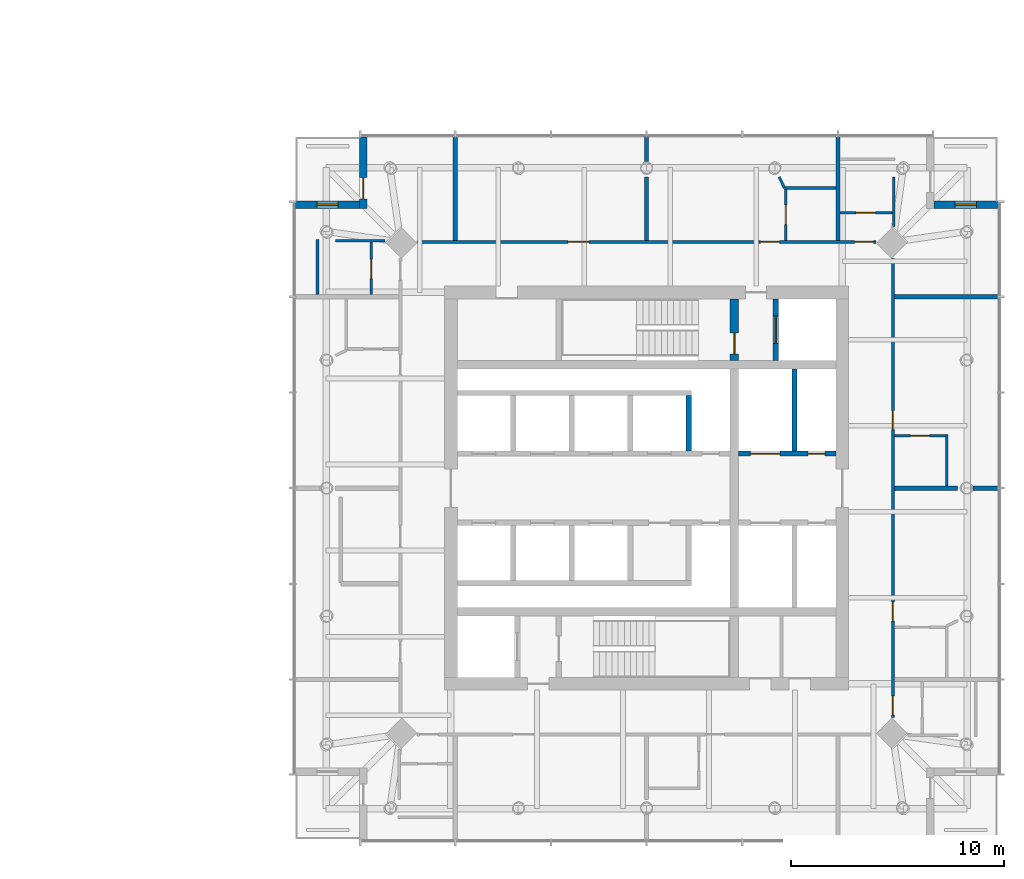
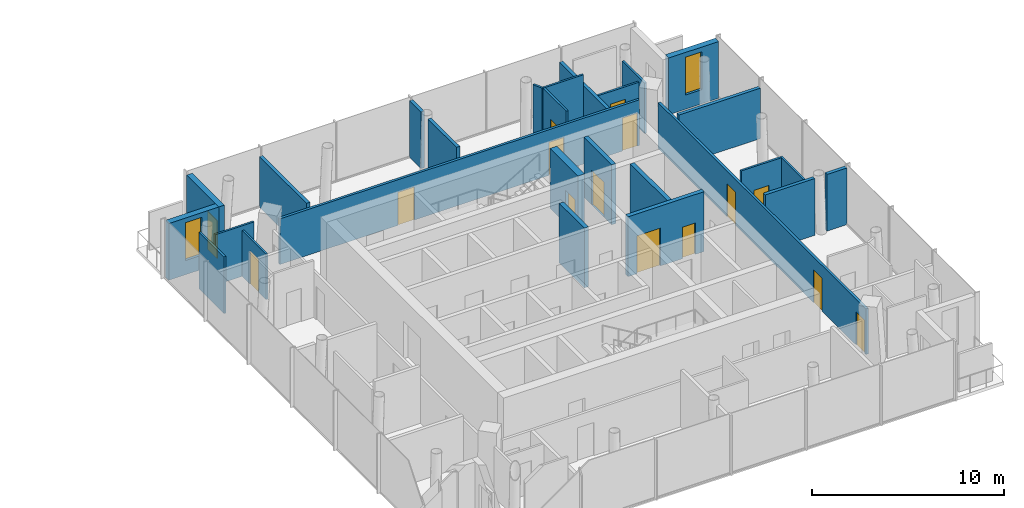
# One storey, part 15 of 27: 27 walls, 15 doors, 2 windows, 17 openings.
"""IFC4 building model written with IfcOpenShell, lengths in metres."""

from ifc_helpers import new_model, si_unit, direction, frame, frame_2d, origin, place, context, subcontext, project, spatial, rectangle, extrude, material, layer, layer_set, type_object, element, fill, save


model = new_model("IFC4")

# Units and contexts
model_context = context("Model", 3, precision=1e-05, world=origin(), true_north=direction((0.0, 1.0)))
body_context = subcontext(model_context, "Body", "Model", "MODEL_VIEW")
ifc_project = project(units=[si_unit("LENGTHUNIT", "METRE"), si_unit("AREAUNIT", "SQUARE_METRE"), si_unit("VOLUMEUNIT", "CUBIC_METRE"), si_unit("PLANEANGLEUNIT", "RADIAN"), si_unit("MASSUNIT", "GRAM", prefix="KILO")], contexts=[model_context])

# Site, building, storey
site_placement = place(None, origin())
site = spatial("IfcSite", under=ifc_project, at=site_placement, CompositionType="ELEMENT")
building_placement = place(site_placement, origin())
building = spatial("IfcBuilding", under=site, at=building_placement, Name="Ostroluk Exchange", CompositionType="ELEMENT")
storey_placement = place(building_placement, frame((0.0, 0.0, 112.199951171875)))
storey = spatial("IfcBuildingStorey", under=building, at=storey_placement, Name="L28", CompositionType="ELEMENT", Elevation=112.199951171875)

# Wall, opening, door
ifc_material_1 = material(Name="Concrete C50/60", Category="concrete")
ifc_layer_1 = layer(ifc_material_1, 0.39990234375)
ifc_layer_set_1 = layer_set([ifc_layer_1], Name="Core cross wall 400 C50/60")
wall_type_1 = type_object("IfcWallType", Name="Core cross wall 400 C50/60", PredefinedType="SHEAR", material=ifc_layer_set_1)
wall_1_placement = place(storey_placement, frame((121.1298828125, 52.0, 0.0), z_axis=(0.0, 0.0, 1.0), x_axis=(0.0, 1.0, 0.0)))
wall_1 = element("IfcWall", 1, at=wall_1_placement, inside=storey, type_object=wall_type_1, Name="T2 core wall YE3", PredefinedType="SHEAR", context=body_context, shape_type="SweptSolid", body=[
    extrude(rectangle(XDim=2.89990234375, YDim=0.39990234375, at=frame_2d((1.449951171875, 0.0))), origin(), (0.0, 0.0, 1.0), 3.800048828125),
])
opening_1_placement = place(wall_1_placement, frame((0.300048828125, 0.0, 0.0)))
opening_1 = element("IfcOpeningElement", 2, at=opening_1_placement, cuts=wall_1, Name="Opening FD60", PredefinedType="OPENING", context=body_context, shape_type="SweptSolid", body=[
    extrude(rectangle(XDim=1.0, YDim=2.10009765625, at=frame_2d((0.5, 1.050048828125))), frame((0.0, 0.2099609375, 0.0), z_axis=(0.0, -1.0, 0.0), x_axis=(1.0, 0.0, 0.0)), (0.0, 0.0, 1.0), 0.419921875),
])
ifc_material_2 = material(Name="Steel", Category="steel")
door_type_1 = type_object("IfcDoorType", Name="Fire door EI 60 1000 x 2100", OperationType="SINGLE_SWING_LEFT", PredefinedType="DOOR", material=ifc_material_2)
door_1_placement = place(opening_1_placement, origin())
door_1 = element("IfcDoor", 3, at=door_1_placement, inside=storey, type_object=door_type_1, Name="Stair T2-S2 door", OperationType="SINGLE_SWING_LEFT", OverallHeight=2.10009765625, OverallWidth=1.0, PredefinedType="DOOR", context=body_context, shape_type="SweptSolid", body=[
    extrude(rectangle(XDim=1.0, YDim=2.10009765625, at=frame_2d((0.5, 1.050048828125))), frame((0.0, 0.02490234375, 0.0), z_axis=(0.0, -1.0, 0.0), x_axis=(1.0, 0.0, 0.0)), (0.0, 0.0, 1.0), 0.050048828125),
])
fill(opening_1, door_1)

ifc_material_3 = material(Name="Concrete C40/50", Category="concrete")
ifc_layer_2 = layer(ifc_material_3, 0.25)
ifc_layer_set_2 = layer_set([ifc_layer_2], Name="Core shaft wall 250")
wall_type_2 = type_object("IfcWallType", Name="Core shaft wall 250", PredefinedType="SHEAR", material=ifc_layer_set_2)
wall_2_placement = place(storey_placement, frame((123.074951171875, 52.0, 0.0), z_axis=(0.0, 0.0, 1.0), x_axis=(0.0, 1.0, 0.0)))
wall_2 = element("IfcWall", 4, at=wall_2_placement, inside=storey, type_object=wall_type_2, Name="Firefighting lift shaft wall", PredefinedType="SHEAR", context=body_context, shape_type="SweptSolid", body=[
    extrude(rectangle(XDim=2.89990234375, YDim=0.25, at=frame_2d((1.449951171875, 0.0))), origin(), (0.0, 0.0, 1.0), 3.800048828125),
])
opening_2_placement = place(wall_2_placement, frame((0.800048828125, 0.0, 0.0)))
opening_2 = element("IfcOpeningElement", 5, at=opening_2_placement, cuts=wall_2, Name="Opening LD2", PredefinedType="OPENING", context=body_context, shape_type="SweptSolid", body=[
    extrude(rectangle(XDim=1.300048828125, YDim=2.199951171875, at=frame_2d((0.64990234375, 1.10009765625))), frame((0.0, 0.135009765625, 0.0), z_axis=(0.0, -1.0, 0.0), x_axis=(1.0, 0.0, 0.0)), (0.0, 0.0, 1.0), 0.27001953125),
])
ifc_material_4 = material(Name="Stainless steel", Category="steel")
door_type_2 = type_object("IfcDoorType", Name="Lift landing door E 60 1300 x 2200", OperationType="DOUBLE_DOOR_SLIDING", PredefinedType="DOOR", material=ifc_material_4)
door_2_placement = place(opening_2_placement, origin())
door_2 = element("IfcDoor", 6, at=door_2_placement, inside=storey, type_object=door_type_2, Name="Lift HF2 landing door", OperationType="DOUBLE_DOOR_SLIDING", OverallHeight=2.199951171875, OverallWidth=1.300048828125, PredefinedType="DOOR", context=body_context, shape_type="SweptSolid", body=[
    extrude(rectangle(XDim=1.300048828125, YDim=2.199951171875, at=frame_2d((0.64990234375, 1.10009765625))), frame((0.0, 0.02490234375, 0.0), z_axis=(0.0, -1.0, 0.0), x_axis=(1.0, 0.0, 0.0)), (0.0, 0.0, 1.0), 0.050048828125),
])
fill(opening_2, door_2)

# Walls
wall_3_placement = place(storey_placement, frame((118.97509765625, 47.75, 0.0), z_axis=(0.0, 0.0, 1.0), x_axis=(0.0, 1.0, 0.0)))
element("IfcWall", 7, at=wall_3_placement, inside=storey, type_object=wall_type_2, Name="Lift shaft wall", PredefinedType="SHEAR", context=body_context, shape_type="SweptSolid", body=[
    extrude(rectangle(XDim=2.60009765625, YDim=0.25, at=frame_2d((1.300048828125, 0.0))), origin(), (0.0, 0.0, 1.0), 3.800048828125),
])
wall_4_placement = place(storey_placement, frame((123.955078125, 47.75, 0.0), z_axis=(0.0, 0.0, 1.0), x_axis=(0.0, 1.0, 0.0)))
element("IfcWall", 8, at=wall_4_placement, inside=storey, type_object=wall_type_2, Name="Lift shaft wall", PredefinedType="SHEAR", context=body_context, shape_type="SweptSolid", body=[
    extrude(rectangle(XDim=3.85009765625, YDim=0.25, at=frame_2d((1.925048828125, 0.0))), origin(), (0.0, 0.0, 1.0), 3.800048828125),
])

# Wall, openings, doors
wall_5_placement = place(storey_placement, frame((121.330078125, 47.625, 0.0), z_axis=(0.0, 0.0, 1.0), x_axis=(1.0, 0.0, 0.0)))
wall_5 = element("IfcWall", 9, at=wall_5_placement, inside=storey, type_object=wall_type_2, Name="Lift shaft front wall", PredefinedType="SHEAR", context=body_context, shape_type="SweptSolid", body=[
    extrude(rectangle(XDim=4.56982421875, YDim=0.25, at=frame_2d((2.284912109375, 0.0))), origin(), (0.0, 0.0, 1.0), 3.800048828125),
])
opening_3_placement = place(wall_5_placement, frame((0.550048828125, 0.0, 0.0)))
opening_3 = element("IfcOpeningElement", 10, at=opening_3_placement, cuts=wall_5, Name="Opening LD3", PredefinedType="OPENING", context=body_context, shape_type="SweptSolid", body=[
    extrude(rectangle(XDim=1.39990234375, YDim=2.39990234375, at=frame_2d((0.699951171875, 1.199951171875))), frame((0.0, 0.135009765625, 0.0), z_axis=(0.0, -1.0, 0.0), x_axis=(1.0, 0.0, 0.0)), (0.0, 0.0, 1.0), 0.27001953125),
])
opening_4_placement = place(wall_5_placement, frame((3.260009765625, 0.0, 0.0)))
opening_4 = element("IfcOpeningElement", 11, at=opening_4_placement, cuts=wall_5, Name="Opening RD60", PredefinedType="OPENING", context=body_context, shape_type="SweptSolid", body=[
    extrude(rectangle(XDim=0.800048828125, YDim=2.0, at=frame_2d((0.39990234375, 1.0))), frame((0.0, 0.135009765625, 0.0), z_axis=(0.0, -1.0, 0.0), x_axis=(1.0, 0.0, 0.0)), (0.0, 0.0, 1.0), 0.27001953125),
])
ifc_material_5 = material(Name="Stainless steel", Category="steel")
door_type_3 = type_object("IfcDoorType", Name="Goods lift landing door E 60 1400 x 2400", OperationType="DOUBLE_DOOR_SLIDING", PredefinedType="DOOR", material=ifc_material_5)
door_3_placement = place(opening_3_placement, origin())
door_3 = element("IfcDoor", 12, at=door_3_placement, inside=storey, type_object=door_type_3, Name="Lift HS1 landing door", OperationType="DOUBLE_DOOR_SLIDING", OverallHeight=2.39990234375, OverallWidth=1.39990234375, PredefinedType="DOOR", context=body_context, shape_type="SweptSolid", body=[
    extrude(rectangle(XDim=1.39990234375, YDim=2.39990234375, at=frame_2d((0.699951171875, 1.199951171875))), frame((0.0, 0.02490234375, 0.0), z_axis=(0.0, -1.0, 0.0), x_axis=(1.0, 0.0, 0.0)), (0.0, 0.0, 1.0), 0.050048828125),
])
fill(opening_3, door_3)
ifc_material_6 = material(Name="Steel", Category="steel")
door_type_4 = type_object("IfcDoorType", Name="Riser access door EI 60 800 x 2000", OperationType="SINGLE_SWING_LEFT", PredefinedType="DOOR", material=ifc_material_6)
door_4_placement = place(opening_4_placement, origin())
door_4 = element("IfcDoor", 13, at=door_4_placement, inside=storey, type_object=door_type_4, Name="Riser access door", OperationType="SINGLE_SWING_RIGHT", OverallHeight=2.0, OverallWidth=0.800048828125, PredefinedType="DOOR", context=body_context, shape_type="SweptSolid", body=[
    extrude(rectangle(XDim=0.800048828125, YDim=2.0, at=frame_2d((0.39990234375, 1.0))), frame((0.0, 0.02490234375, 0.0), z_axis=(0.0, -1.0, 0.0), x_axis=(1.0, 0.0, 0.0)), (0.0, 0.0, 1.0), 0.050048828125),
])
fill(opening_4, door_4)

# Wall, opening, window
ifc_material_7 = material(Name="Limestone", Category="masonry")
ifc_layer_3 = layer(ifc_material_7, 0.35009765625)
ifc_layer_set_3 = layer_set([ifc_layer_3], Name="Limestone facade wall 350")
wall_type_3 = type_object("IfcWallType", Name="Limestone facade wall 350", PredefinedType="SOLIDWALL", material=ifc_layer_set_3)
wall_6_placement = place(storey_placement, frame((130.5, 59.324951171875, 0.0), z_axis=(0.0, 0.0, 1.0), x_axis=(1.0, 0.0, 0.0)))
wall_6 = element("IfcWall", 14, at=wall_6_placement, inside=storey, type_object=wall_type_3, Name="Hotel tower NE corner wall L28 b", PredefinedType="SOLIDWALL", context=body_context, shape_type="SweptSolid", body=[
    extrude(rectangle(XDim=3.0, YDim=0.35009765625, at=frame_2d((1.5, 0.0))), origin(), (0.0, 0.0, 1.0), 3.60009765625),
])
opening_5_placement = place(wall_6_placement, frame((1.0, 0.0, 0.89990234375)))
opening_5 = element("IfcOpeningElement", 15, at=opening_5_placement, cuts=wall_6, Name="Opening WN-L3", PredefinedType="OPENING", context=body_context, shape_type="SweptSolid", body=[
    extrude(rectangle(XDim=1.0, YDim=2.39990234375, at=frame_2d((0.5, 1.199951171875))), frame((0.0, 0.18505859375, 0.0), z_axis=(0.0, -1.0, 0.0), x_axis=(1.0, 0.0, 0.0)), (0.0, 0.0, 1.0), 0.3701171875),
])
ifc_material_8 = material(Name="Laminated clear glass", Category="glass")
window_type = type_object("IfcWindowType", Name="Hotel lancet window 1000 x 2400", PartitioningType="SINGLE_PANEL", PredefinedType="WINDOW", material=ifc_material_8)
window_1_placement = place(opening_5_placement, origin())
window_1 = element("IfcWindow", 16, at=window_1_placement, inside=storey, type_object=window_type, Name="Hotel tower NE lancet window L28", OverallHeight=2.39990234375, OverallWidth=1.0, PartitioningType="SINGLE_PANEL", PredefinedType="WINDOW", context=body_context, shape_type="SweptSolid", body=[
    extrude(rectangle(XDim=1.0, YDim=2.39990234375, at=frame_2d((0.5, 1.199951171875))), frame((0.0, 0.030029296875, 0.0), z_axis=(0.0, -1.0, 0.0), x_axis=(1.0, 0.0, 0.0)), (0.0, 0.0, 1.0), 0.06005859375),
])
fill(opening_5, window_1)

# Wall, opening, door
wall_7_placement = place(storey_placement, frame((103.675048828125, 62.5, 0.0), z_axis=(0.0, 0.0, 1.0), x_axis=(0.0, -1.0, 0.0)))
wall_7 = element("IfcWall", 17, at=wall_7_placement, inside=storey, type_object=wall_type_3, Name="Hotel tower NW corner wall L28 a", PredefinedType="SOLIDWALL", context=body_context, shape_type="SweptSolid", body=[
    extrude(rectangle(XDim=3.35009765625, YDim=0.35009765625, at=frame_2d((1.675048828125, 0.0))), origin(), (0.0, 0.0, 1.0), 3.60009765625),
])
opening_6_placement = place(wall_7_placement, frame((1.89990234375, 0.0, 0.0)))
opening_6 = element("IfcOpeningElement", 18, at=opening_6_placement, cuts=wall_7, Name="Opening D-B1", PredefinedType="OPENING", context=body_context, shape_type="SweptSolid", body=[
    extrude(rectangle(XDim=1.0, YDim=2.39990234375, at=frame_2d((0.5, 1.199951171875))), frame((0.0, 0.18505859375, 0.0), z_axis=(0.0, -1.0, 0.0), x_axis=(1.0, 0.0, 0.0)), (0.0, 0.0, 1.0), 0.3701171875),
])
ifc_material_9 = material(Name="Bronze framed glazed door", Category="aluminium")
door_type_5 = type_object("IfcDoorType", Name="Balcony door 1000 x 2400", OperationType="SINGLE_SWING_LEFT", PredefinedType="DOOR", material=ifc_material_9)
door_5_placement = place(opening_6_placement, origin())
door_5 = element("IfcDoor", 19, at=door_5_placement, inside=storey, type_object=door_type_5, Name="Hotel tower NW balcony door L28", OperationType="SINGLE_SWING_RIGHT", OverallHeight=2.39990234375, OverallWidth=1.0, PredefinedType="DOOR", context=body_context, shape_type="SweptSolid", body=[
    extrude(rectangle(XDim=1.0, YDim=2.39990234375, at=frame_2d((0.5, 1.199951171875))), frame((0.0, 0.02490234375, 0.0), z_axis=(0.0, -1.0, 0.0), x_axis=(1.0, 0.0, 0.0)), (0.0, 0.0, 1.0), 0.050048828125),
])
fill(opening_6, door_5)

# Wall, opening, window
wall_8_placement = place(storey_placement, frame((103.5, 59.324951171875, 0.0), z_axis=(0.0, 0.0, 1.0), x_axis=(-1.0, 0.0, 0.0)))
wall_8 = element("IfcWall", 20, at=wall_8_placement, inside=storey, type_object=wall_type_3, Name="Hotel tower NW corner wall L28 b", PredefinedType="SOLIDWALL", context=body_context, shape_type="SweptSolid", body=[
    extrude(rectangle(XDim=3.0, YDim=0.35009765625, at=frame_2d((1.5, 0.0))), origin(), (0.0, 0.0, 1.0), 3.60009765625),
])
opening_7_placement = place(wall_8_placement, frame((1.0, 0.0, 0.89990234375)))
opening_7 = element("IfcOpeningElement", 21, at=opening_7_placement, cuts=wall_8, Name="Opening WN-L3", PredefinedType="OPENING", context=body_context, shape_type="SweptSolid", body=[
    extrude(rectangle(XDim=1.0, YDim=2.39990234375, at=frame_2d((0.5, 1.199951171875))), frame((0.0, 0.18505859375, 0.0), z_axis=(0.0, -1.0, 0.0), x_axis=(1.0, 0.0, 0.0)), (0.0, 0.0, 1.0), 0.3701171875),
])
window_2_placement = place(opening_7_placement, origin())
window_2 = element("IfcWindow", 22, at=window_2_placement, inside=storey, type_object=window_type, Name="Hotel tower NW lancet window L28", OverallHeight=2.39990234375, OverallWidth=1.0, PartitioningType="SINGLE_PANEL", PredefinedType="WINDOW", context=body_context, shape_type="SweptSolid", body=[
    extrude(rectangle(XDim=1.0, YDim=2.39990234375, at=frame_2d((0.5, 1.199951171875))), frame((0.0, 0.030029296875, 0.0), z_axis=(0.0, -1.0, 0.0), x_axis=(1.0, 0.0, 0.0)), (0.0, 0.0, 1.0), 0.06005859375),
])
fill(opening_7, window_2)

# Wall
ifc_material_10 = material(Name="Gypsum plasterboard partition, moisture resistant", Category="gypsum")
ifc_layer_4 = layer(ifc_material_10, 0.1201171875)
ifc_layer_set_4 = layer_set([ifc_layer_4], Name="Plasterboard en-suite wall 120")
wall_type_4 = type_object("IfcWallType", Name="Plasterboard en-suite wall 120", PredefinedType="PARTITIONING", material=ifc_layer_set_4)
wall_9_placement = place(storey_placement, frame((131.110107421875, 46.10009765625, 0.0), z_axis=(0.0, 0.0, 1.0), x_axis=(0.0, 1.0, 0.0)))
element("IfcWall", 23, at=wall_9_placement, inside=storey, type_object=wall_type_4, Name="En-suite wall", PredefinedType="PARTITIONING", context=body_context, shape_type="SweptSolid", body=[
    extrude(rectangle(XDim=2.419921875, YDim=0.1201171875, at=frame_2d((1.2099609375, 0.0))), origin(), (0.0, 0.0, 1.0), 3.60009765625),
])

# Wall, opening, door
wall_10_placement = place(storey_placement, frame((128.64990234375, 48.4599609375, 0.0), z_axis=(0.0, 0.0, 1.0), x_axis=(1.0, 0.0, 0.0)))
wall_10 = element("IfcWall", 24, at=wall_10_placement, inside=storey, type_object=wall_type_4, Name="En-suite wall", PredefinedType="PARTITIONING", context=body_context, shape_type="SweptSolid", body=[
    extrude(rectangle(XDim=2.400146484375, YDim=0.1201171875, at=frame_2d((1.2001953125, 0.0))), origin(), (0.0, 0.0, 1.0), 3.60009765625),
])
opening_8_placement = place(wall_10_placement, frame((0.75, 0.0, 0.0)))
opening_8 = element("IfcOpeningElement", 25, at=opening_8_placement, cuts=wall_10, Name="Opening D-02", PredefinedType="OPENING", context=body_context, shape_type="SweptSolid", body=[
    extrude(rectangle(XDim=0.89990234375, YDim=2.10009765625, at=frame_2d((0.449951171875, 1.050048828125))), frame((0.0, 0.070068359375, 0.0), z_axis=(0.0, -1.0, 0.0), x_axis=(1.0, 0.0, 0.0)), (0.0, 0.0, 1.0), 0.14013671875),
])
ifc_material_11 = material(Name="Timber", Category="wood")
door_type_6 = type_object("IfcDoorType", Name="En-suite door 900 x 2100", OperationType="SINGLE_SWING_LEFT", PredefinedType="DOOR", material=ifc_material_11)
door_6_placement = place(opening_8_placement, origin())
door_6 = element("IfcDoor", 26, at=door_6_placement, inside=storey, type_object=door_type_6, Name="En-suite door 2803", OperationType="SINGLE_SWING_LEFT", OverallHeight=2.10009765625, OverallWidth=0.89990234375, PredefinedType="DOOR", context=body_context, shape_type="SweptSolid", body=[
    extrude(rectangle(XDim=0.89990234375, YDim=2.10009765625, at=frame_2d((0.449951171875, 1.050048828125))), frame((0.0, 0.02490234375, 0.0), z_axis=(0.0, -1.0, 0.0), x_axis=(1.0, 0.0, 0.0)), (0.0, 0.0, 1.0), 0.050048828125),
])
fill(opening_8, door_6)

wall_11_placement = place(storey_placement, frame((126.10009765625, 58.949951171875, 0.0), z_axis=(0.0, 0.0, 1.0), x_axis=(1.0, 0.0, 0.0)))
wall_11 = element("IfcWall", 27, at=wall_11_placement, inside=storey, type_object=wall_type_4, Name="En-suite wall", PredefinedType="PARTITIONING", context=body_context, shape_type="SweptSolid", body=[
    extrude(rectangle(XDim=2.579833984375, YDim=0.1201171875, at=frame_2d((1.2900390625, 0.0))), origin(), (0.0, 0.0, 1.0), 2.900146484375),
])
opening_9_placement = place(wall_11_placement, frame((0.75, 0.0, 0.0)))
opening_9 = element("IfcOpeningElement", 28, at=opening_9_placement, cuts=wall_11, Name="Opening D-02", PredefinedType="OPENING", context=body_context, shape_type="SweptSolid", body=[
    extrude(rectangle(XDim=0.89990234375, YDim=2.10009765625, at=frame_2d((0.449951171875, 1.050048828125))), frame((0.0, 0.070068359375, 0.0), z_axis=(0.0, -1.0, 0.0), x_axis=(1.0, 0.0, 0.0)), (0.0, 0.0, 1.0), 0.14013671875),
])
door_7_placement = place(opening_9_placement, origin())
door_7 = element("IfcDoor", 29, at=door_7_placement, inside=storey, type_object=door_type_6, Name="En-suite door 2804", OperationType="SINGLE_SWING_LEFT", OverallHeight=2.10009765625, OverallWidth=0.89990234375, PredefinedType="DOOR", context=body_context, shape_type="SweptSolid", body=[
    extrude(rectangle(XDim=0.89990234375, YDim=2.10009765625, at=frame_2d((0.449951171875, 1.050048828125))), frame((0.0, 0.02490234375, 0.0), z_axis=(0.0, -1.0, 0.0), x_axis=(1.0, 0.0, 0.0)), (0.0, 0.0, 1.0), 0.050048828125),
])
fill(opening_9, door_7)

# Walls
wall_12_placement = place(storey_placement, frame((128.6201171875, 58.2900390625, 0.0), z_axis=(0.0, 0.0, 1.0), x_axis=(0.0, 1.0, 0.0)))
element("IfcWall", 30, at=wall_12_placement, inside=storey, type_object=wall_type_4, Name="En-suite wall", PredefinedType="PARTITIONING", context=body_context, shape_type="SweptSolid", body=[
    extrude(rectangle(XDim=2.335693359375, YDim=0.1201171875, at=frame_2d((1.16796875, 0.0))), origin(), (0.0, 0.0, 1.0), 3.199951171875),
])
wall_13_placement = place(storey_placement, frame((125.89990234375, 60.110107421875, 0.0), z_axis=(0.0, 0.0, 1.0), x_axis=(-1.0, 0.0, 0.0)))
element("IfcWall", 31, at=wall_13_placement, inside=storey, type_object=wall_type_4, Name="En-suite wall", PredefinedType="PARTITIONING", context=body_context, shape_type="SweptSolid", body=[
    extrude(rectangle(XDim=2.419921875, YDim=0.1201171875, at=frame_2d((1.2099609375, 0.0))), origin(), (0.0, 0.0, 1.0), 3.60009765625),
])

# Wall, opening, door
wall_14_placement = place(storey_placement, frame((123.5400390625, 57.64990234375, 0.0), z_axis=(0.0, 0.0, 1.0), x_axis=(0.0, 1.0, 0.0)))
wall_14 = element("IfcWall", 32, at=wall_14_placement, inside=storey, type_object=wall_type_4, Name="En-suite wall", PredefinedType="PARTITIONING", context=body_context, shape_type="SweptSolid", body=[
    extrude(rectangle(XDim=2.400146484375, YDim=0.1201171875, at=frame_2d((1.2001953125, 0.0))), origin(), (0.0, 0.0, 1.0), 3.60009765625),
])
opening_10_placement = place(wall_14_placement, frame((0.75, 0.0, 0.0)))
opening_10 = element("IfcOpeningElement", 33, at=opening_10_placement, cuts=wall_14, Name="Opening D-02", PredefinedType="OPENING", context=body_context, shape_type="SweptSolid", body=[
    extrude(rectangle(XDim=0.89990234375, YDim=2.10009765625, at=frame_2d((0.449951171875, 1.050048828125))), frame((0.0, 0.070068359375, 0.0), z_axis=(0.0, -1.0, 0.0), x_axis=(1.0, 0.0, 0.0)), (0.0, 0.0, 1.0), 0.14013671875),
])
door_8_placement = place(opening_10_placement, origin())
door_8 = element("IfcDoor", 34, at=door_8_placement, inside=storey, type_object=door_type_6, Name="En-suite door 2805", OperationType="SINGLE_SWING_RIGHT", OverallHeight=2.10009765625, OverallWidth=0.89990234375, PredefinedType="DOOR", context=body_context, shape_type="SweptSolid", body=[
    extrude(rectangle(XDim=0.89990234375, YDim=2.10009765625, at=frame_2d((0.449951171875, 1.050048828125))), frame((0.0, 0.02490234375, 0.0), z_axis=(0.0, -1.0, 0.0), x_axis=(1.0, 0.0, 0.0)), (0.0, 0.0, 1.0), 0.050048828125),
])
fill(opening_10, door_8)

wall_15_placement = place(storey_placement, frame((104.050048828125, 55.10009765625, 0.0), z_axis=(0.0, 0.0, 1.0), x_axis=(0.0, 1.0, 0.0)))
wall_15 = element("IfcWall", 35, at=wall_15_placement, inside=storey, type_object=wall_type_4, Name="En-suite wall", PredefinedType="PARTITIONING", context=body_context, shape_type="SweptSolid", body=[
    extrude(rectangle(XDim=2.579833984375, YDim=0.1201171875, at=frame_2d((1.2900390625, 0.0))), origin(), (0.0, 0.0, 1.0), 2.900146484375),
])
opening_11_placement = place(wall_15_placement, frame((0.75, 0.0, 0.0)))
opening_11 = element("IfcOpeningElement", 36, at=opening_11_placement, cuts=wall_15, Name="Opening D-02", PredefinedType="OPENING", context=body_context, shape_type="SweptSolid", body=[
    extrude(rectangle(XDim=0.89990234375, YDim=2.10009765625, at=frame_2d((0.449951171875, 1.050048828125))), frame((0.0, 0.070068359375, 0.0), z_axis=(0.0, -1.0, 0.0), x_axis=(1.0, 0.0, 0.0)), (0.0, 0.0, 1.0), 0.14013671875),
])
door_9_placement = place(opening_11_placement, origin())
door_9 = element("IfcDoor", 37, at=door_9_placement, inside=storey, type_object=door_type_6, Name="En-suite door 2806", OperationType="SINGLE_SWING_LEFT", OverallHeight=2.10009765625, OverallWidth=0.89990234375, PredefinedType="DOOR", context=body_context, shape_type="SweptSolid", body=[
    extrude(rectangle(XDim=0.89990234375, YDim=2.10009765625, at=frame_2d((0.449951171875, 1.050048828125))), frame((0.0, 0.02490234375, 0.0), z_axis=(0.0, -1.0, 0.0), x_axis=(1.0, 0.0, 0.0)), (0.0, 0.0, 1.0), 0.050048828125),
])
fill(opening_11, door_9)

# Walls
wall_16_placement = place(storey_placement, frame((101.530029296875, 55.10009765625, 0.0), z_axis=(0.0, 0.0, 1.0), x_axis=(0.0, 1.0, 0.0)))
element("IfcWall", 38, at=wall_16_placement, inside=storey, type_object=wall_type_4, Name="En-suite wall", PredefinedType="PARTITIONING", context=body_context, shape_type="SweptSolid", body=[
    extrude(rectangle(XDim=2.579833984375, YDim=0.1201171875, at=frame_2d((1.2900390625, 0.0))), origin(), (0.0, 0.0, 1.0), 3.60009765625),
])
wall_17_placement = place(storey_placement, frame((104.7099609375, 57.6201171875, 0.0), z_axis=(0.0, 0.0, 1.0), x_axis=(-1.0, 0.0, 0.0)))
element("IfcWall", 39, at=wall_17_placement, inside=storey, type_object=wall_type_4, Name="En-suite wall", PredefinedType="PARTITIONING", context=body_context, shape_type="SweptSolid", body=[
    extrude(rectangle(XDim=2.335693359375, YDim=0.1201171875, at=frame_2d((1.16796875, 0.0))), origin(), (0.0, 0.0, 1.0), 3.199951171875),
])
wall_18_placement = place(storey_placement, frame((123.47998046875, 60.110107421875, 0.0), z_axis=(0.0, 0.0, 1.0), x_axis=(-0.433161107778, 0.901316511947, 0.0)))
element("IfcWall", 40, at=wall_18_placement, inside=storey, type_object=wall_type_4, Name="En-suite wall", PredefinedType="PARTITIONING", context=body_context, shape_type="SweptSolid", body=[
    extrude(rectangle(XDim=0.572021484375, YDim=0.1201171875, at=frame_2d((0.2861328125, 0.0))), origin(), (0.0, 0.0, 1.0), 3.60009765625),
])

# Wall, openings, doors
ifc_material_12 = material(Name="Gypsum plasterboard partition", Category="gypsum")
ifc_layer_5 = layer(ifc_material_12, 0.14990234375)
ifc_layer_set_5 = layer_set([ifc_layer_5], Name="Plasterboard partition 150")
wall_type_5 = type_object("IfcWallType", Name="Plasterboard partition 150", PredefinedType="PARTITIONING", material=ifc_layer_set_5)
wall_19_placement = place(storey_placement, frame((128.574951171875, 35.20703125, 0.0), z_axis=(0.0, 0.0, 1.0), x_axis=(0.0, 1.0, 0.0)))
wall_19 = element("IfcWall", 41, at=wall_19_placement, inside=storey, type_object=wall_type_5, Name="Corridor wall", PredefinedType="PARTITIONING", context=body_context, shape_type="SweptSolid", body=[
    extrude(rectangle(XDim=21.5859375, YDim=0.14990234375, at=frame_2d((10.79296875, 0.0))), origin(), (0.0, 0.0, 1.0), 2.900146484375),
])
opening_12_placement = place(wall_19_placement, frame((0.1201171875, 0.0, 0.0)))
opening_12 = element("IfcOpeningElement", 42, at=opening_12_placement, cuts=wall_19, Name="Opening D-01", PredefinedType="OPENING", context=body_context, shape_type="SweptSolid", body=[
    extrude(rectangle(XDim=0.89990234375, YDim=2.10009765625, at=frame_2d((0.449951171875, 1.050048828125))), frame((0.0, 0.0849609375, 0.0), z_axis=(0.0, -1.0, 0.0), x_axis=(1.0, 0.0, 0.0)), (0.0, 0.0, 1.0), 0.169921875),
])
opening_13_placement = place(wall_19_placement, frame((4.54296875, 0.0, 0.0)))
opening_13 = element("IfcOpeningElement", 43, at=opening_13_placement, cuts=wall_19, Name="Opening D-01", PredefinedType="OPENING", context=body_context, shape_type="SweptSolid", body=[
    extrude(rectangle(XDim=0.89990234375, YDim=2.10009765625, at=frame_2d((0.449951171875, 1.050048828125))), frame((0.0, 0.0849609375, 0.0), z_axis=(0.0, -1.0, 0.0), x_axis=(1.0, 0.0, 0.0)), (0.0, 0.0, 1.0), 0.169921875),
])
opening_14_placement = place(wall_19_placement, frame((13.54296875, 0.0, 0.0)))
opening_14 = element("IfcOpeningElement", 44, at=opening_14_placement, cuts=wall_19, Name="Opening D-01", PredefinedType="OPENING", context=body_context, shape_type="SweptSolid", body=[
    extrude(rectangle(XDim=0.89990234375, YDim=2.10009765625, at=frame_2d((0.449951171875, 1.050048828125))), frame((0.0, 0.0849609375, 0.0), z_axis=(0.0, -1.0, 0.0), x_axis=(1.0, 0.0, 0.0)), (0.0, 0.0, 1.0), 0.169921875),
])
ifc_material_13 = material(Name="Timber", Category="wood")
door_type_7 = type_object("IfcDoorType", Name="Hotel room door EI 30 Sa 900 x 2100", OperationType="SINGLE_SWING_LEFT", PredefinedType="DOOR", material=ifc_material_13)
door_10_placement = place(opening_12_placement, origin())
door_10 = element("IfcDoor", 45, at=door_10_placement, inside=storey, type_object=door_type_7, Name="Room door 2801", OperationType="SINGLE_SWING_LEFT", OverallHeight=2.10009765625, OverallWidth=0.89990234375, PredefinedType="DOOR", context=body_context, shape_type="SweptSolid", body=[
    extrude(rectangle(XDim=0.89990234375, YDim=2.10009765625, at=frame_2d((0.449951171875, 1.050048828125))), frame((0.0, 0.02490234375, 0.0), z_axis=(0.0, -1.0, 0.0), x_axis=(1.0, 0.0, 0.0)), (0.0, 0.0, 1.0), 0.050048828125),
])
fill(opening_12, door_10)
door_11_placement = place(opening_13_placement, origin())
door_11 = element("IfcDoor", 46, at=door_11_placement, inside=storey, type_object=door_type_7, Name="Room door 2802", OperationType="SINGLE_SWING_LEFT", OverallHeight=2.10009765625, OverallWidth=0.89990234375, PredefinedType="DOOR", context=body_context, shape_type="SweptSolid", body=[
    extrude(rectangle(XDim=0.89990234375, YDim=2.10009765625, at=frame_2d((0.449951171875, 1.050048828125))), frame((0.0, 0.02490234375, 0.0), z_axis=(0.0, -1.0, 0.0), x_axis=(1.0, 0.0, 0.0)), (0.0, 0.0, 1.0), 0.050048828125),
])
fill(opening_13, door_11)
door_12_placement = place(opening_14_placement, origin())
door_12 = element("IfcDoor", 47, at=door_12_placement, inside=storey, type_object=door_type_7, Name="Room door 2803", OperationType="SINGLE_SWING_RIGHT", OverallHeight=2.10009765625, OverallWidth=0.89990234375, PredefinedType="DOOR", context=body_context, shape_type="SweptSolid", body=[
    extrude(rectangle(XDim=0.89990234375, YDim=2.10009765625, at=frame_2d((0.449951171875, 1.050048828125))), frame((0.0, 0.02490234375, 0.0), z_axis=(0.0, -1.0, 0.0), x_axis=(1.0, 0.0, 0.0)), (0.0, 0.0, 1.0), 0.050048828125),
])
fill(opening_14, door_12)

wall_20_placement = place(storey_placement, frame((127.79296875, 57.574951171875, 0.0), z_axis=(0.0, 0.0, 1.0), x_axis=(-1.0, 0.0, 0.0)))
wall_20 = element("IfcWall", 48, at=wall_20_placement, inside=storey, type_object=wall_type_5, Name="Corridor wall", PredefinedType="PARTITIONING", context=body_context, shape_type="SweptSolid", body=[
    extrude(rectangle(XDim=21.5859375, YDim=0.14990234375, at=frame_2d((10.79296875, 0.0))), origin(), (0.0, 0.0, 1.0), 2.900146484375),
])
opening_15_placement = place(wall_20_placement, frame((0.1201171875, 0.0, 0.0)))
opening_15 = element("IfcOpeningElement", 49, at=opening_15_placement, cuts=wall_20, Name="Opening D-01", PredefinedType="OPENING", context=body_context, shape_type="SweptSolid", body=[
    extrude(rectangle(XDim=0.89990234375, YDim=2.10009765625, at=frame_2d((0.449951171875, 1.050048828125))), frame((0.0, 0.0849609375, 0.0), z_axis=(0.0, -1.0, 0.0), x_axis=(1.0, 0.0, 0.0)), (0.0, 0.0, 1.0), 0.169921875),
])
opening_16_placement = place(wall_20_placement, frame((4.54296875, 0.0, 0.0)))
opening_16 = element("IfcOpeningElement", 50, at=opening_16_placement, cuts=wall_20, Name="Opening D-01", PredefinedType="OPENING", context=body_context, shape_type="SweptSolid", body=[
    extrude(rectangle(XDim=0.89990234375, YDim=2.10009765625, at=frame_2d((0.449951171875, 1.050048828125))), frame((0.0, 0.0849609375, 0.0), z_axis=(0.0, -1.0, 0.0), x_axis=(1.0, 0.0, 0.0)), (0.0, 0.0, 1.0), 0.169921875),
])
opening_17_placement = place(wall_20_placement, frame((13.492919921875, 0.0, 0.0)))
opening_17 = element("IfcOpeningElement", 51, at=opening_17_placement, cuts=wall_20, Name="Opening D-03", PredefinedType="OPENING", context=body_context, shape_type="SweptSolid", body=[
    extrude(rectangle(XDim=1.0, YDim=2.10009765625, at=frame_2d((0.5, 1.050048828125))), frame((0.0, 0.0849609375, 0.0), z_axis=(0.0, -1.0, 0.0), x_axis=(1.0, 0.0, 0.0)), (0.0, 0.0, 1.0), 0.169921875),
])
door_13_placement = place(opening_15_placement, origin())
door_13 = element("IfcDoor", 52, at=door_13_placement, inside=storey, type_object=door_type_7, Name="Room door 2804", OperationType="SINGLE_SWING_LEFT", OverallHeight=2.10009765625, OverallWidth=0.89990234375, PredefinedType="DOOR", context=body_context, shape_type="SweptSolid", body=[
    extrude(rectangle(XDim=0.89990234375, YDim=2.10009765625, at=frame_2d((0.449951171875, 1.050048828125))), frame((0.0, 0.02490234375, 0.0), z_axis=(0.0, -1.0, 0.0), x_axis=(1.0, 0.0, 0.0)), (0.0, 0.0, 1.0), 0.050048828125),
])
fill(opening_15, door_13)
door_14_placement = place(opening_16_placement, origin())
door_14 = element("IfcDoor", 53, at=door_14_placement, inside=storey, type_object=door_type_7, Name="Room door 2805", OperationType="SINGLE_SWING_LEFT", OverallHeight=2.10009765625, OverallWidth=0.89990234375, PredefinedType="DOOR", context=body_context, shape_type="SweptSolid", body=[
    extrude(rectangle(XDim=0.89990234375, YDim=2.10009765625, at=frame_2d((0.449951171875, 1.050048828125))), frame((0.0, 0.02490234375, 0.0), z_axis=(0.0, -1.0, 0.0), x_axis=(1.0, 0.0, 0.0)), (0.0, 0.0, 1.0), 0.050048828125),
])
fill(opening_16, door_14)
ifc_material_14 = material(Name="Timber", Category="wood")
door_type_8 = type_object("IfcDoorType", Name="Internal door 1000 x 2100", OperationType="SINGLE_SWING_LEFT", PredefinedType="DOOR", material=ifc_material_14)
door_15_placement = place(opening_17_placement, origin())
door_15 = element("IfcDoor", 54, at=door_15_placement, inside=storey, type_object=door_type_8, Name="Guest lounge door", OperationType="SINGLE_SWING_RIGHT", OverallHeight=2.10009765625, OverallWidth=1.0, PredefinedType="DOOR", context=body_context, shape_type="SweptSolid", body=[
    extrude(rectangle(XDim=1.0, YDim=2.10009765625, at=frame_2d((0.5, 1.050048828125))), frame((0.0, 0.02490234375, 0.0), z_axis=(0.0, -1.0, 0.0), x_axis=(1.0, 0.0, 0.0)), (0.0, 0.0, 1.0), 0.050048828125),
])
fill(opening_17, door_15)

# Walls
ifc_material_15 = material(Name="Gypsum plasterboard partition", Category="gypsum")
ifc_layer_6 = layer(ifc_material_15, 0.199951171875)
ifc_layer_set_6 = layer_set([ifc_layer_6], Name="Plasterboard party wall 200")
wall_type_6 = type_object("IfcWallType", Name="Plasterboard party wall 200", PredefinedType="PARTITIONING", material=ifc_layer_set_6)
wall_21_placement = place(storey_placement, frame((128.64990234375, 46.0, 0.0), z_axis=(0.0, 0.0, 1.0), x_axis=(1.0, 0.0, 0.0)))
element("IfcWall", 55, at=wall_21_placement, inside=storey, type_object=wall_type_6, Name="Party wall", PredefinedType="PARTITIONING", context=body_context, shape_type="SweptSolid", body=[
    extrude(rectangle(XDim=2.975830078125, YDim=0.199951171875, at=frame_2d((1.48779296875, 0.0))), origin(), (0.0, 0.0, 1.0), 3.60009765625),
])
wall_22_placement = place(storey_placement, frame((132.348388671875, 46.0, 0.0), z_axis=(0.0, 0.0, 1.0), x_axis=(1.0, 0.0, 0.0)))
element("IfcWall", 56, at=wall_22_placement, inside=storey, type_object=wall_type_6, Name="Party wall", PredefinedType="PARTITIONING", context=body_context, shape_type="SweptSolid", body=[
    extrude(rectangle(XDim=1.191650390625, YDim=0.199951171875, at=frame_2d((0.595703125, 0.0))), origin(), (0.0, 0.0, 1.0), 3.60009765625),
])
wall_23_placement = place(storey_placement, frame((128.64990234375, 55.0, 0.0), z_axis=(0.0, 0.0, 1.0), x_axis=(1.0, 0.0, 0.0)))
element("IfcWall", 57, at=wall_23_placement, inside=storey, type_object=wall_type_6, Name="Party wall", PredefinedType="PARTITIONING", context=body_context, shape_type="SweptSolid", body=[
    extrude(rectangle(XDim=4.89013671875, YDim=0.199951171875, at=frame_2d((2.445068359375, 0.0))), origin(), (0.0, 0.0, 1.0), 3.199951171875),
])
wall_24_placement = place(storey_placement, frame((126.0, 57.64990234375, 0.0), z_axis=(0.0, 0.0, 1.0), x_axis=(0.0, 1.0, 0.0)))
element("IfcWall", 58, at=wall_24_placement, inside=storey, type_object=wall_type_6, Name="Party wall", PredefinedType="PARTITIONING", context=body_context, shape_type="SweptSolid", body=[
    extrude(rectangle(XDim=4.89013671875, YDim=0.199951171875, at=frame_2d((2.445068359375, 0.0))), origin(), (0.0, 0.0, 1.0), 2.900146484375),
])
wall_25_placement = place(storey_placement, frame((117.0, 57.64990234375, 0.0), z_axis=(0.0, 0.0, 1.0), x_axis=(0.0, 1.0, 0.0)))
element("IfcWall", 59, at=wall_25_placement, inside=storey, type_object=wall_type_6, Name="Party wall", PredefinedType="PARTITIONING", context=body_context, shape_type="SweptSolid", body=[
    extrude(rectangle(XDim=2.975830078125, YDim=0.199951171875, at=frame_2d((1.48779296875, 0.0))), origin(), (0.0, 0.0, 1.0), 3.60009765625),
])
wall_26_placement = place(storey_placement, frame((117.0, 61.348388671875, 0.0), z_axis=(0.0, 0.0, 1.0), x_axis=(0.0, 1.0, 0.0)))
element("IfcWall", 60, at=wall_26_placement, inside=storey, type_object=wall_type_6, Name="Party wall", PredefinedType="PARTITIONING", context=body_context, shape_type="SweptSolid", body=[
    extrude(rectangle(XDim=1.191650390625, YDim=0.199951171875, at=frame_2d((0.595703125, 0.0))), origin(), (0.0, 0.0, 1.0), 3.60009765625),
])
wall_27_placement = place(storey_placement, frame((108.0, 57.64990234375, 0.0), z_axis=(0.0, 0.0, 1.0), x_axis=(0.0, 1.0, 0.0)))
element("IfcWall", 61, at=wall_27_placement, inside=storey, type_object=wall_type_6, Name="Party wall", PredefinedType="PARTITIONING", context=body_context, shape_type="SweptSolid", body=[
    extrude(rectangle(XDim=4.89013671875, YDim=0.199951171875, at=frame_2d((2.445068359375, 0.0))), origin(), (0.0, 0.0, 1.0), 3.199951171875),
])

save(model, "model.ifc")
